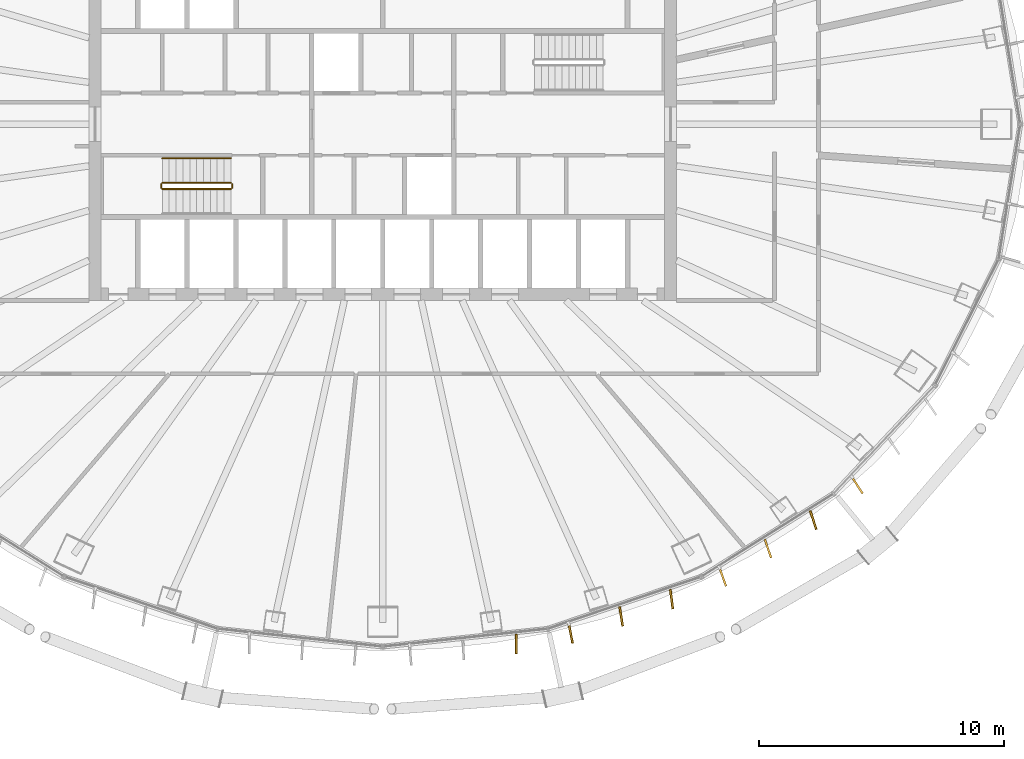
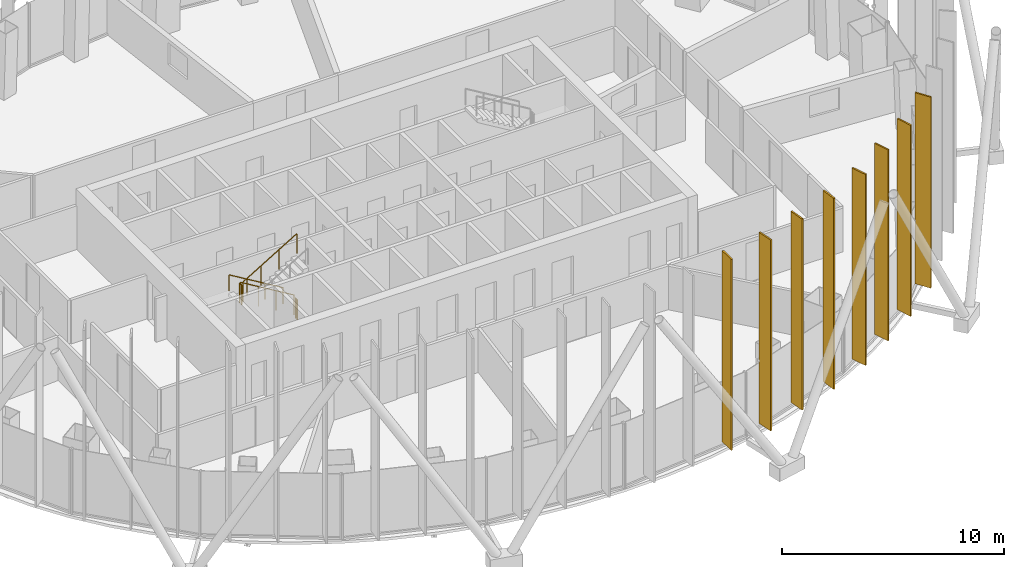
# One storey, part 17 of 19: 8 shading devices, 5 railings.
"""IFC4 building model written with IfcOpenShell, lengths in metres."""

from ifc_helpers import new_model, si_unit, direction, frame, origin, origin_2d, place, context, subcontext, project, spatial, rectangle, circle, extrude, material, layer, layer_set, type_object, element, save


model = new_model("IFC4")

# Units and contexts
model_context = context("Model", 3, precision=1e-05, world=origin(), true_north=direction((0.0, 1.0)))
body_context = subcontext(model_context, "Body", "Model", "MODEL_VIEW")
ifc_project = project(units=[si_unit("LENGTHUNIT", "METRE"), si_unit("AREAUNIT", "SQUARE_METRE"), si_unit("VOLUMEUNIT", "CUBIC_METRE"), si_unit("PLANEANGLEUNIT", "RADIAN"), si_unit("MASSUNIT", "GRAM", prefix="KILO")], contexts=[model_context])

# Site, building, storey
site_placement = place(None, origin())
site = spatial("IfcSite", under=ifc_project, at=site_placement, CompositionType="ELEMENT")
building_placement = place(site_placement, origin())
building = spatial("IfcBuilding", under=site, at=building_placement, Name="Siaravel Broadcast Tower", CompositionType="ELEMENT")
storey_placement = place(building_placement, frame((0.0, 0.0, 97.10009765625)))
storey = spatial("IfcBuildingStorey", under=building, at=storey_placement, Name="L22", CompositionType="ELEMENT", Elevation=97.10009765625)

# Shading devices
ifc_material_1 = material(Name="Bronze anodised aluminium", Category="aluminium")
ifc_layer = layer(ifc_material_1, 0.080078125)
ifc_layer_set = layer_set([ifc_layer], Name="Bronze anodised aluminium")
shading_device_type = type_object("IfcShadingDeviceType", Name="Bronze fin zone 2", PredefinedType="USERDEFINED", material=ifc_layer_set)
for number, where, z_axis, x_axis, name in (
    (1, (5.45068359375, -21.2392578125, 0.2998046875), (0.0, 0.0, 1.0), (0.007140081, -0.999974509, 0.0), "Bronze fin L22-54"),
    (2, (7.67626953125, -20.8046875, 0.2998046875), (0.0, 0.0, 1.0), (0.189542736, -0.981872472, 0.0), "Bronze fin L22-55"),
    (3, (9.7353515625, -20.10400390625, 0.2998046875), (0.0, 0.0, 1.0), (0.157167055, -0.987572031, 0.0), "Bronze fin L22-56"),
    (4, (11.796142578125, -19.402587890625, 0.2998046875), (0.0, 0.0, 1.0), (0.129596911, -0.991566761, 0.0), "Bronze fin L22-57"),
    (5, (13.88720703125, -18.4990234375, 0.2998046875), (0.0, 0.0, 1.0), (0.335326608, -0.94210194, 0.0), "Bronze fin L22-58"),
    (6, (15.73388671875, -17.336669921875, 0.2998046875), (0.0, 0.0, 1.0), (0.320393107, -0.947284676, 0.0), "Bronze fin L22-59"),
    (7, (17.5830078125, -16.17333984375, 0.2998046875), (0.0, 0.0, 1.0), (0.312613451, -0.949880429, 0.0), "Bronze fin L22-60"),
    (8, (19.380859375, -14.7509765625, 0.2998046875), (0.0, 0.0, 1.0), (0.543492406, -0.839414084, 0.0), "Bronze fin L22-61"),
):
    element("IfcShadingDevice", number, at=place(storey_placement, frame(where, z_axis=z_axis, x_axis=x_axis)), inside=storey, type_object=shading_device_type, Name=name, ObjectType="FIN", PredefinedType="USERDEFINED", context=body_context, shape_type="SweptSolid", body=[
        extrude(rectangle(XDim=0.800048828125, YDim=0.080078125, at=origin_2d()), origin(), (0.0, 0.0, 1.0), 10.5),
    ])

# Railings
ifc_material_2 = material(Name="Stainless steel 316L", Category="steel")
railing_type_1 = type_object("IfcRailingType", Name="Stair guard 1100", PredefinedType="GUARDRAIL", material=ifc_material_2)
railing_1_placement = place(storey_placement, frame((-6.199951171875, -2.39990234375, 0.16796875)))
element("IfcRailing", 9, at=railing_1_placement, inside=storey, type_object=railing_type_1, Name="L22 ST-1 stair guard 1", PredefinedType="GUARDRAIL", context=body_context, shape_type="SweptSolid", body=[
    extrude(circle(Radius=0.02392578125, at=origin_2d()), frame((0.0, 0.0, 1.076171875), z_axis=(-0.857242211, 0.0, 0.514913383), x_axis=(0.0, -1.0, 0.0)), (0.0, 0.0, 1.0), 3.266357421875),
    extrude(circle(Radius=0.02099609375, at=origin_2d()), origin(), (0.0, 0.0, 1.0), 1.052001953125),
    extrude(circle(Radius=0.02099609375, at=origin_2d()), frame((-0.933349609375, 0.0, 0.560546875)), (0.0, 0.0, 1.0), 1.052001953125),
    extrude(circle(Radius=0.02099609375, at=origin_2d()), frame((-1.86669921875, 0.0, 1.121337890625)), (0.0, 0.0, 1.0), 1.052001953125),
    extrude(circle(Radius=0.02099609375, at=origin_2d()), frame((-2.800048828125, 0.0, 1.681884765625)), (0.0, 0.0, 1.0), 1.052001953125),
])
railing_2_placement = place(storey_placement, frame((-9.050048828125, -2.449951171875, 1.849853515625)))
element("IfcRailing", 10, at=railing_2_placement, inside=storey, type_object=railing_type_1, Name="L22 ST-1 stair guard 2", PredefinedType="GUARDRAIL", context=body_context, shape_type="SweptSolid", body=[
    extrude(circle(Radius=0.02392578125, at=origin_2d()), frame((0.0, 0.0, 1.076171875), z_axis=(0.0, -1.0, 0.0), x_axis=(1.0, 0.0, 0.0)), (0.0, 0.0, 1.0), 0.150146484375),
    extrude(circle(Radius=0.02099609375, at=origin_2d()), origin(), (0.0, 0.0, 1.0), 1.052001953125),
    extrude(circle(Radius=0.02099609375, at=origin_2d()), frame((0.0, -0.150146484375, 0.0)), (0.0, 0.0, 1.0), 1.052001953125),
])
railing_3_placement = place(storey_placement, frame((-9.0, -2.64990234375, 2.01806640625)))
element("IfcRailing", 11, at=railing_3_placement, inside=storey, type_object=railing_type_1, Name="L22 ST-1 stair guard 3", PredefinedType="GUARDRAIL", context=body_context, shape_type="SweptSolid", body=[
    extrude(circle(Radius=0.02392578125, at=origin_2d()), frame((0.0, 0.0, 1.076171875), z_axis=(0.857242211, 0.0, 0.514913383), x_axis=(0.0, 1.0, 0.0)), (0.0, 0.0, 1.0), 3.266357421875),
    extrude(circle(Radius=0.02099609375, at=origin_2d()), origin(), (0.0, 0.0, 1.0), 1.052001953125),
    extrude(circle(Radius=0.02099609375, at=origin_2d()), frame((0.933349609375, 0.0, 0.560546875)), (0.0, 0.0, 1.0), 1.052001953125),
    extrude(circle(Radius=0.02099609375, at=origin_2d()), frame((1.86669921875, 0.0, 1.121337890625)), (0.0, 0.0, 1.0), 1.052001953125),
    extrude(circle(Radius=0.02099609375, at=origin_2d()), frame((2.800048828125, 0.0, 1.681884765625)), (0.0, 0.0, 1.0), 1.052001953125),
])
railing_4_placement = place(storey_placement, frame((-6.14990234375, -2.449951171875, 0.0)))
element("IfcRailing", 12, at=railing_4_placement, inside=storey, type_object=railing_type_1, Name="L22 ST-1 stair guard 4", PredefinedType="GUARDRAIL", context=body_context, shape_type="SweptSolid", body=[
    extrude(circle(Radius=0.02392578125, at=origin_2d()), frame((0.0, 0.0, 1.076171875), z_axis=(0.0, -1.0, 0.0), x_axis=(1.0, 0.0, 0.0)), (0.0, 0.0, 1.0), 0.150146484375),
    extrude(circle(Radius=0.02099609375, at=origin_2d()), origin(), (0.0, 0.0, 1.0), 1.052001953125),
    extrude(circle(Radius=0.02099609375, at=origin_2d()), frame((0.0, -0.150146484375, 0.0)), (0.0, 0.0, 1.0), 1.052001953125),
])
railing_type_2 = type_object("IfcRailingType", Name="Stair handrail 900", PredefinedType="HANDRAIL", material=ifc_material_2)
railing_5_placement = place(storey_placement, frame((-6.199951171875, -1.39990234375, 0.16796875)))
element("IfcRailing", 13, at=railing_5_placement, inside=storey, type_object=railing_type_2, Name="L22 ST-1 stair handrail 1", PredefinedType="HANDRAIL", context=body_context, shape_type="SweptSolid", body=[
    extrude(circle(Radius=0.02392578125, at=origin_2d()), frame((0.0, 0.0, 0.8759765625), z_axis=(-0.857242211, 0.0, 0.514913383), x_axis=(0.0, -1.0, 0.0)), (0.0, 0.0, 1.0), 3.266357421875),
    extrude(circle(Radius=0.02099609375, at=origin_2d()), origin(), (0.0, 0.0, 1.0), 0.851806640625),
    extrude(circle(Radius=0.02099609375, at=origin_2d()), frame((-0.933349609375, 0.0, 0.560546875)), (0.0, 0.0, 1.0), 0.851806640625),
    extrude(circle(Radius=0.02099609375, at=origin_2d()), frame((-1.86669921875, 0.0, 1.121337890625)), (0.0, 0.0, 1.0), 0.851806640625),
    extrude(circle(Radius=0.02099609375, at=origin_2d()), frame((-2.800048828125, 0.0, 1.681884765625)), (0.0, 0.0, 1.0), 0.851806640625),
])

save(model, "model.ifc")
